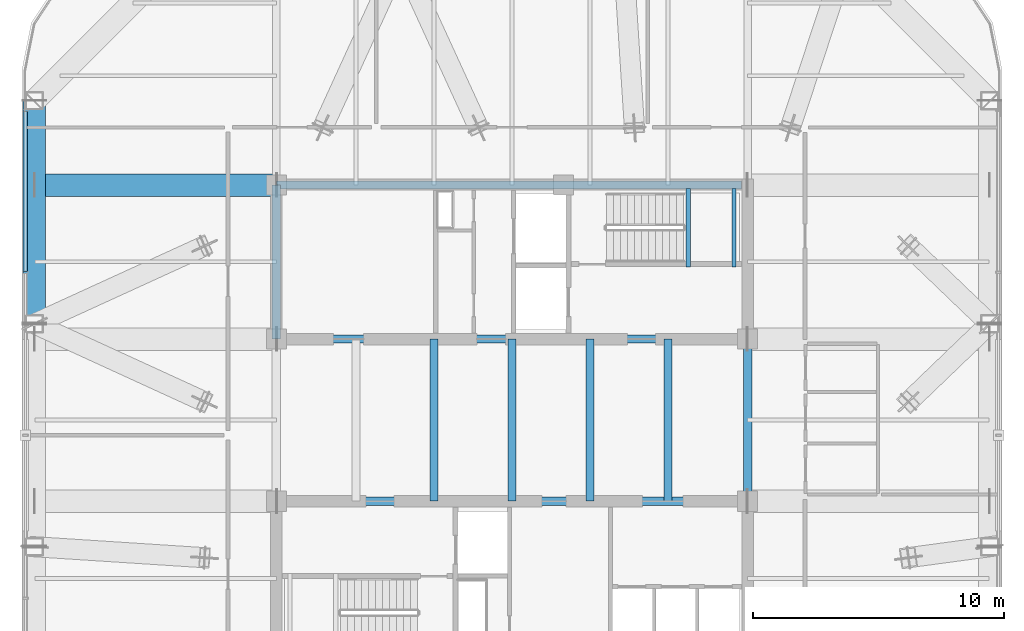
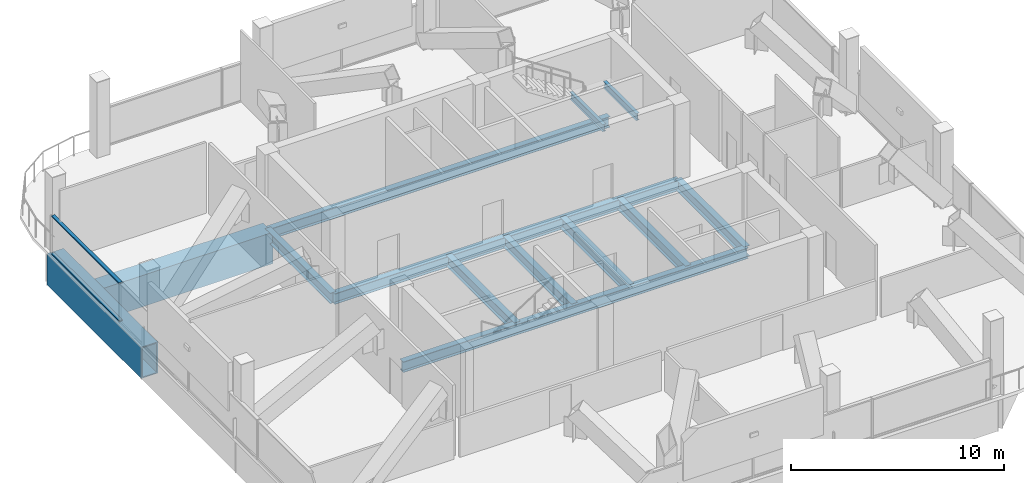
# One storey, part 7 of 19: 13 beams, 2 members, 1 element without a shape of its own.
"""IFC4 building model written with IfcOpenShell, lengths in metres."""

from ifc_helpers import new_model, si_unit, direction, frame, origin, origin_2d, place, context, subcontext, project, spatial, hollow_rectangle, i_section, extrude, material, layer, layer_set, material_profile, profile_set, type_object, element, aggregate, save


model = new_model("IFC4")

# Units and contexts
model_context = context("Model", 3, precision=1e-05, world=origin(), true_north=direction((0.0, 1.0)))
body_context = subcontext(model_context, "Body", "Model", "MODEL_VIEW")
ifc_project = project(units=[si_unit("LENGTHUNIT", "METRE"), si_unit("AREAUNIT", "SQUARE_METRE"), si_unit("VOLUMEUNIT", "CUBIC_METRE"), si_unit("PLANEANGLEUNIT", "RADIAN"), si_unit("MASSUNIT", "GRAM", prefix="KILO")], contexts=[model_context])

# Site, building, storey
site_placement = place(None, origin())
site = spatial("IfcSite", under=ifc_project, at=site_placement, CompositionType="ELEMENT")
building_placement = place(site_placement, origin())
building = spatial("IfcBuilding", under=site, at=building_placement, Name="Qhalaya Broadcast Tower", CompositionType="ELEMENT")
storey_placement = place(building_placement, frame((0.0, 0.0, 226.949951171875)))
storey = spatial("IfcBuildingStorey", under=building, at=storey_placement, Name="L67", CompositionType="ELEMENT", Elevation=226.949951171875)

# Beams
ifc_material_1 = material(Name="Structural Steel ASTM A572 Grade 50", Category="steel")
ifc_material_profile_1 = material_profile(ifc_material_1, hollow_rectangle(XDim=0.89990234375, YDim=1.800048828125, WallThickness=0.06005859375, at=origin_2d()), Name="BOX 900x1800x60")
ifc_profile_set_1 = profile_set([ifc_material_profile_1], Name="Structural Steel ASTM A572 Grade 50")
beam_type_1 = type_object("IfcBeamType", Name="Block Cantilever Transfer Box Girder TG1", PredefinedType="USERDEFINED", material=ifc_profile_set_1)
beam_1_placement = place(storey_placement, frame((-19.0, 13.300048828125, -1.08984375), z_axis=(0.0, -1.0, 0.0), x_axis=(1.0, 0.0, 0.0)))
element("IfcBeam", 1, at=beam_1_placement, inside=storey, type_object=beam_type_1, Name="L67 TG1 L67-SPR-13", ObjectType="GIRDER", PredefinedType="USERDEFINED", context=body_context, shape_type="SweptSolid", body=[
    extrude(hollow_rectangle(XDim=0.89990234375, YDim=1.800048828125, WallThickness=0.06005859375, at=origin_2d()), origin(), (0.0, 0.0, 1.0), 8.86669921875),
])
beam_2_placement = place(storey_placement, frame((-18.97998046875, 9.949951171875, -1.08984375), z_axis=(1.0, 0.0, 0.0), x_axis=(0.0, 1.0, 0.0)))
element("IfcBeam", 2, at=beam_2_placement, inside=storey, type_object=beam_type_1, Name="L67 TG1 L67-PGYW4-1", ObjectType="GIRDER", PredefinedType="USERDEFINED", context=body_context, shape_type="SweptSolid", body=[
    extrude(hollow_rectangle(XDim=0.89990234375, YDim=1.800048828125, WallThickness=0.06005859375, at=origin_2d()), origin(), (0.0, 0.0, 1.0), 9.60498046875),
])
ifc_material_2 = material(Name="Structural Steel ASTM A992 Grade 50", Category="steel")
ifc_material_profile_2 = material_profile(ifc_material_2, i_section(OverallWidth=0.323974609375, OverallDepth=0.612060546875, WebThickness=0.0126953125, FlangeThickness=0.01904296875, at=origin_2d()), Name="W24X104")
ifc_profile_set_2 = profile_set([ifc_material_profile_2], Name="Structural Steel ASTM A992 Grade 50")
beam_type_2 = type_object("IfcBeamType", Name="Core Frame Tie Beam B04", PredefinedType="BEAM", material=ifc_profile_set_2)
beam_3_placement = place(storey_placement, frame((-9.375, 3.824951171875, -0.495849609375), z_axis=(1.0, 0.0, 0.0), x_axis=(0.0, 1.0, 0.0)))
element("IfcBeam", 3, at=beam_3_placement, inside=storey, type_object=beam_type_2, Name="L67 B04 L67-CCN1", PredefinedType="BEAM", context=body_context, shape_type="SweptSolid", body=[
    extrude(i_section(OverallWidth=0.323974609375, OverallDepth=0.612060546875, WebThickness=0.0126953125, FlangeThickness=0.01904296875, at=origin_2d()), origin(), (0.0, 0.0, 1.0), 18.75),
])
beam_4_placement = place(storey_placement, frame((-9.375, 3.824951171875, -0.495849609375), z_axis=(0.0, 1.0, 0.0), x_axis=(-1.0, 0.0, 0.0)))
element("IfcBeam", 4, at=beam_4_placement, inside=storey, type_object=beam_type_2, Name="L67 B04 L67-CCN2", PredefinedType="BEAM", context=body_context, shape_type="SweptSolid", body=[
    extrude(i_section(OverallWidth=0.323974609375, OverallDepth=0.612060546875, WebThickness=0.0126953125, FlangeThickness=0.01904296875, at=origin_2d()), origin(), (0.0, 0.0, 1.0), 6.125),
])
beam_5_placement = place(storey_placement, frame((-9.375, 9.949951171875, -0.495849609375), z_axis=(1.0, 0.0, 0.0), x_axis=(0.0, 1.0, 0.0)))
element("IfcBeam", 5, at=beam_5_placement, inside=storey, type_object=beam_type_2, Name="L67 B04 L67-CCN3", PredefinedType="BEAM", context=body_context, shape_type="SweptSolid", body=[
    extrude(i_section(OverallWidth=0.323974609375, OverallDepth=0.612060546875, WebThickness=0.0126953125, FlangeThickness=0.01904296875, at=origin_2d()), origin(), (0.0, 0.0, 1.0), 18.4951171875),
])
beam_6_placement = place(storey_placement, frame((-9.375, -2.625, -0.495849609375), z_axis=(1.0, 0.0, 0.0), x_axis=(0.0, 1.0, 0.0)))
element("IfcBeam", 6, at=beam_6_placement, inside=storey, type_object=beam_type_2, Name="L67 B04 L67-CCS1", PredefinedType="BEAM", context=body_context, shape_type="SweptSolid", body=[
    extrude(i_section(OverallWidth=0.323974609375, OverallDepth=0.612060546875, WebThickness=0.0126953125, FlangeThickness=0.01904296875, at=origin_2d()), origin(), (0.0, 0.0, 1.0), 18.75),
])
for number, where, z_axis, x_axis, name in (
    (7, (9.375, -2.625, -0.495849609375), (0.0, 1.0, 0.0), (-1.0, 0.0, 0.0), "L67 B04 L67-CCE"),
    (8, (-3.10009765625, -2.625, -0.495849609375), (0.0, 1.0, 0.0), (-1.0, 0.0, 0.0), "L67 B04 L67-JC2-1"),
    (9, (0.0, -2.625, -0.495849609375), (0.0, 1.0, 0.0), (-1.0, 0.0, 0.0), "L67 B04 L67-JC3-1"),
    (10, (3.10009765625, -2.625, -0.495849609375), (0.0, 1.0, 0.0), (-1.0, 0.0, 0.0), "L67 B04 L67-JC4-1"),
    (11, (6.199951171875, -2.625, -0.495849609375), (0.0, 1.0, 0.0), (-1.0, 0.0, 0.0), "L67 B04 L67-JC5-1"),
):
    element("IfcBeam", number, at=place(storey_placement, frame(where, z_axis=z_axis, x_axis=x_axis)), inside=storey, type_object=beam_type_2, Name=name, PredefinedType="BEAM", context=body_context, shape_type="SweptSolid", body=[
        extrude(i_section(OverallWidth=0.323974609375, OverallDepth=0.612060546875, WebThickness=0.0126953125, FlangeThickness=0.01904296875, at=origin_2d()), origin(), (0.0, 0.0, 1.0), 6.449951171875),
    ])

# Curtain wall, members
ifc_material_3 = material(Name="Fired Architectural Terracotta", Category="masonry")
ifc_layer = layer(ifc_material_3, 0.219970703125, Name="Fired Architectural Terracotta")
ifc_layer_set = layer_set([ifc_layer], Name="Fired Architectural Terracotta")
curtain_wall_type = type_object("IfcCurtainWallType", Name="Block-Cap Unitised Terracotta Spandrel Wall CW-07", PredefinedType="NOTDEFINED", material=ifc_layer_set)
curtain_wall_placement = place(storey_placement, origin())
curtain_wall = element("IfcCurtainWall", 12, at=curtain_wall_placement, inside=storey, type_object=curtain_wall_type, Name="L67 Unitised Curtain Wall L67-CW-W", PredefinedType="NOTDEFINED")
ifc_material_4 = material(Name="Anodised Aluminium 6063-T6", Category="aluminium")
ifc_material_profile_3 = material_profile(ifc_material_4, hollow_rectangle(XDim=0.074951171875, YDim=0.179931640625, WallThickness=0.00390625, at=origin_2d()), Name="ALU-TRN 75x180x4")
ifc_profile_set_3 = profile_set([ifc_material_profile_3], Name="Anodised Aluminium 6063-T6")
member_type = type_object("IfcMemberType", Name="Unitised Curtain-Wall Transom T01", PredefinedType="USERDEFINED", material=ifc_profile_set_3)
member_1_placement = place(storey_placement, frame((-19.360107421875, 6.5185546875, 0.03759765625), z_axis=(0.0, 1.0, 0.0), x_axis=(0.0, 0.0, 1.0)))
member_1 = element("IfcMember", 13, at=member_1_placement, type_object=member_type, Name="CW-07 transom 4.1", ObjectType="TRANSOM", PredefinedType="USERDEFINED", context=body_context, shape_type="SweptSolid", body=[
    extrude(hollow_rectangle(XDim=0.074951171875, YDim=0.179931640625, WallThickness=0.00390625, at=origin_2d()), origin(), (0.0, 0.0, 1.0), 6.368408203125),
])
member_2_placement = place(storey_placement, frame((-19.360107421875, 6.5185546875, 2.212646484375), z_axis=(0.0, 1.0, 0.0), x_axis=(0.0, 0.0, 1.0)))
member_2 = element("IfcMember", 14, at=member_2_placement, type_object=member_type, Name="CW-07 transom 4.2", ObjectType="TRANSOM", PredefinedType="USERDEFINED", context=body_context, shape_type="SweptSolid", body=[
    extrude(hollow_rectangle(XDim=0.074951171875, YDim=0.179931640625, WallThickness=0.00390625, at=origin_2d()), origin(), (0.0, 0.0, 1.0), 6.368408203125),
])
aggregate(curtain_wall, [member_1, member_2])

# Beams
ifc_material_profile_4 = material_profile(ifc_material_2, i_section(OverallWidth=0.177978515625, OverallDepth=0.406005859375, WebThickness=0.0078125, FlangeThickness=0.0126953125, at=origin_2d()), Name="W16X40")
ifc_profile_set_4 = profile_set([ifc_material_profile_4], Name="Structural Steel ASTM A992 Grade 50")
beam_type_3 = type_object("IfcBeamType", Name="Upper Perimeter Spandrel Beam SP2", PredefinedType="SPANDREL", material=ifc_profile_set_4)
for number, where, z_axis, x_axis, name in (
    (15, (7.014892578125, 6.699951171875, 1.77197265625), (0.0, 1.0, 0.0), (-1.0, 0.0, 0.0), "L67 ST-1 Half-Landing Bearer Beam 1"),
    (16, (8.830078125, 6.699951171875, 1.77197265625), (0.0, 1.0, 0.0), (-1.0, 0.0, 0.0), "L67 ST-1 Half-Landing Bearer Beam 2"),
):
    element("IfcBeam", number, at=place(storey_placement, frame(where, z_axis=z_axis, x_axis=x_axis)), inside=storey, type_object=beam_type_3, Name=name, PredefinedType="SPANDREL", context=body_context, shape_type="SweptSolid", body=[
        extrude(i_section(OverallWidth=0.177978515625, OverallDepth=0.406005859375, WebThickness=0.0078125, FlangeThickness=0.0126953125, at=origin_2d()), origin(), (0.0, 0.0, 1.0), 3.1201171875),
    ])

save(model, "model.ifc")
